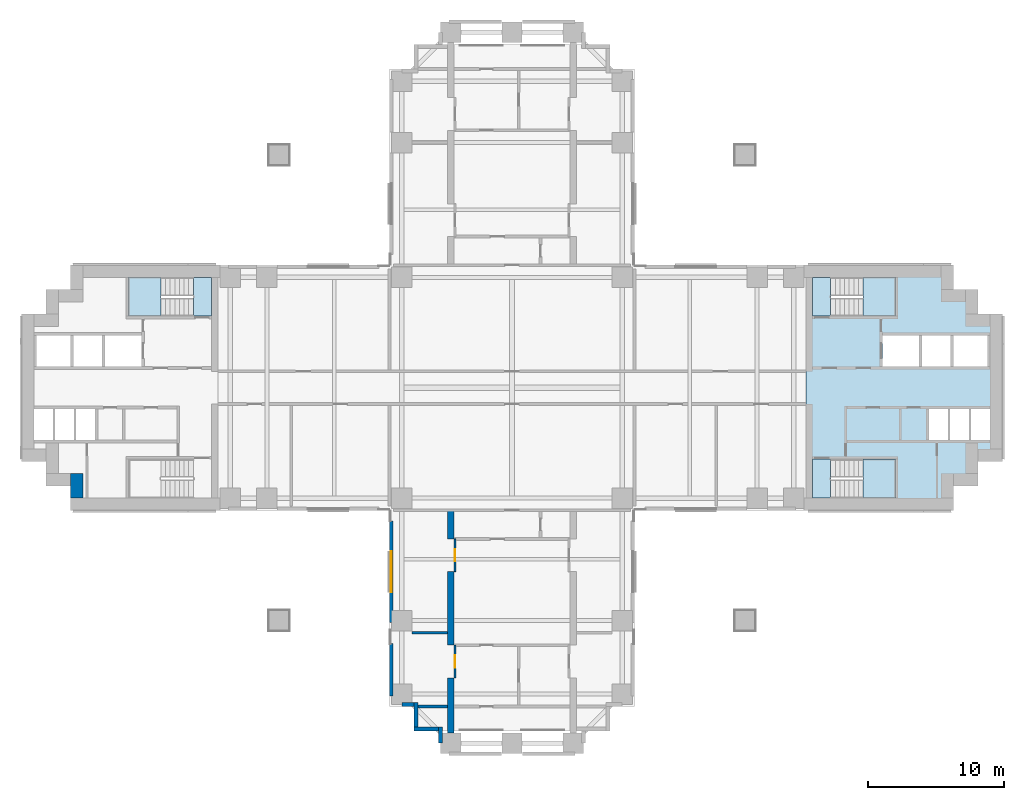
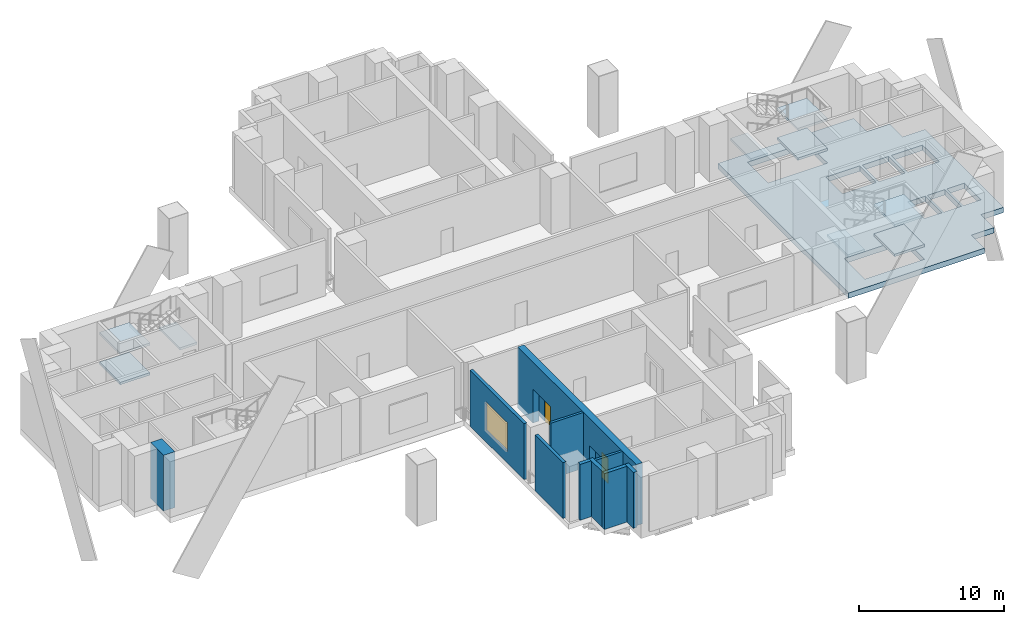
# One storey, part 2 of 10: 12 walls, 10 slabs, 2 doors, 1 window, 3 openings, 3 elements without a shape of their own.
"""IFC4 building model written with IfcOpenShell, lengths in metres."""

from ifc_helpers import new_model, si_unit, direction, frame, frame_2d, origin, place, context, subcontext, project, spatial, polyline, rectangle, outline, extrude, material, layer, layer_set, material_profile, profile_set, type_object, element, fill, aggregate, save


model = new_model("IFC4")

# Units and contexts
model_context = context("Model", 3, precision=1e-05, world=origin(), true_north=direction((0.0, 1.0)))
body_context = subcontext(model_context, "Body", "Model", "MODEL_VIEW")
ifc_project = project(units=[si_unit("LENGTHUNIT", "METRE"), si_unit("AREAUNIT", "SQUARE_METRE"), si_unit("VOLUMEUNIT", "CUBIC_METRE"), si_unit("PLANEANGLEUNIT", "RADIAN"), si_unit("MASSUNIT", "GRAM", prefix="KILO")], contexts=[model_context])

# Site, building, storey
site_placement = place(None, origin())
site = spatial("IfcSite", under=ifc_project, at=site_placement, CompositionType="ELEMENT")
building_placement = place(site_placement, origin())
building = spatial("IfcBuilding", under=site, at=building_placement, Name="Perihelion Cross Residences", CompositionType="ELEMENT")
storey_placement = place(building_placement, frame((0.0, 0.0, 27.0)))
storey = spatial("IfcBuildingStorey", under=building, at=storey_placement, Name="L03", CompositionType="ELEMENT", Elevation=27.0)

# Slab
ifc_material_1 = material(Name="Concrete C40/50", Category="concrete")
ifc_layer_1 = layer(ifc_material_1, 0.449951171875)
ifc_layer_set_1 = layer_set([ifc_layer_1], Name="Core floor slab 450")
slab_type_1 = type_object("IfcSlabType", Name="Core floor slab 450", PredefinedType="FLOOR", material=ifc_layer_set_1)
slab_1_placement = place(storey_placement, frame((0.0, 0.0, -0.449951171875)))
element("IfcSlab", 1, at=slab_1_placement, inside=storey, type_object=slab_type_1, Name="East core floor slab", PredefinedType="FLOOR", context=body_context, shape_type="SweptSolid", body=[
    extrude(outline(polyline([(32.39990234375, 7.199951171875), (34.199951171875, 7.199951171875), (34.199951171875, 5.39990234375), (36.0, 5.39990234375), (36.0, -5.39990234375), (34.199951171875, -5.39990234375), (34.199951171875, -7.199951171875), (32.39990234375, -7.199951171875), (32.39990234375, -9.0), (21.60009765625, -9.0), (21.60009765625, 9.0), (32.39990234375, 9.0), (32.39990234375, 7.199951171875)]), holes=[polyline([(23.405029296875, -8.10009765625), (28.14990234375, -8.10009765625), (28.14990234375, -5.25), (23.405029296875, -5.25), (23.405029296875, -8.10009765625)]), polyline([(30.60009765625, -1.550048828125), (30.60009765625, -3.85009765625), (32.0, -3.85009765625), (32.0, -1.550048828125), (30.60009765625, -1.550048828125)]), polyline([(32.14990234375, -1.550048828125), (32.14990234375, -3.85009765625), (33.550048828125, -3.85009765625), (33.550048828125, -1.550048828125), (32.14990234375, -1.550048828125)]), polyline([(33.699951171875, -1.550048828125), (33.699951171875, -3.85009765625), (35.10009765625, -3.85009765625), (35.10009765625, -1.550048828125), (33.699951171875, -1.550048828125)]), polyline([(27.199951171875, 3.85009765625), (27.199951171875, 1.550048828125), (29.89990234375, 1.550048828125), (29.89990234375, 3.85009765625), (27.199951171875, 3.85009765625)]), polyline([(30.10009765625, 3.85009765625), (30.10009765625, 1.550048828125), (32.199951171875, 1.550048828125), (32.199951171875, 3.85009765625), (30.10009765625, 3.85009765625)]), polyline([(32.39990234375, 3.85009765625), (32.39990234375, 1.550048828125), (34.89990234375, 1.550048828125), (34.89990234375, 3.85009765625), (32.39990234375, 3.85009765625)]), polyline([(23.405029296875, 5.25), (28.14990234375, 5.25), (28.14990234375, 8.10009765625), (23.405029296875, 8.10009765625), (23.405029296875, 5.25)])]), origin(), (0.0, 0.0, 1.0), 0.449951171875),
])

# Stair, slabs
ifc_material_2 = material(Name="Concrete C40/50", Category="concrete")
stair_type = type_object("IfcStairType", Name="Exit stair, half-turn", PredefinedType="HALF_TURN_STAIR", material=ifc_material_2)
stair_1_placement = place(storey_placement, origin())
stair_1 = element("IfcStair", 2, at=stair_1_placement, inside=storey, type_object=stair_type, Name="L03 East core exit stair 1", PredefinedType="HALF_TURN_STAIR")
ifc_material_3 = material(Name="Concrete C40/50", Category="concrete")
ifc_layer_2 = layer(ifc_material_3, 0.199951171875)
ifc_layer_set_2 = layer_set([ifc_layer_2], Name="Exit stair landing 200")
slab_type_2 = type_object("IfcSlabType", Name="Exit stair landing 200", PredefinedType="LANDING", material=ifc_layer_set_2)
slab_2_placement = place(storey_placement, frame((0.0, 0.0, 1.050048828125)))
slab_2 = element("IfcSlab", 3, at=slab_2_placement, type_object=slab_type_2, Name="ST-E1 landing 1", PredefinedType="LANDING", context=body_context, shape_type="SweptSolid", body=[
    extrude(outline(polyline([(25.780029296875, 5.25), (28.14990234375, 5.25), (28.14990234375, 8.10009765625), (25.780029296875, 8.10009765625), (25.780029296875, 5.25)])), origin(), (0.0, 0.0, 1.0), 0.199951171875),
])
slab_3_placement = place(storey_placement, frame((0.0, 0.0, 2.300048828125)))
slab_3 = element("IfcSlab", 4, at=slab_3_placement, type_object=slab_type_2, Name="ST-E1 landing 2", PredefinedType="LANDING", context=body_context, shape_type="SweptSolid", body=[
    extrude(outline(polyline([(22.050048828125, 5.25), (23.39990234375, 5.25), (23.39990234375, 8.10009765625), (22.050048828125, 8.10009765625), (22.050048828125, 5.25)])), origin(), (0.0, 0.0, 1.0), 0.199951171875),
])
slab_4_placement = place(storey_placement, frame((0.0, 0.0, 3.550048828125)))
slab_4 = element("IfcSlab", 5, at=slab_4_placement, type_object=slab_type_2, Name="ST-E1 landing 3", PredefinedType="LANDING", context=body_context, shape_type="SweptSolid", body=[
    extrude(outline(polyline([(25.780029296875, 5.25), (28.14990234375, 5.25), (28.14990234375, 8.10009765625), (25.780029296875, 8.10009765625), (25.780029296875, 5.25)])), origin(), (0.0, 0.0, 1.0), 0.199951171875),
])
aggregate(stair_1, [slab_2, slab_3, slab_4])

stair_2_placement = place(storey_placement, origin())
stair_2 = element("IfcStair", 6, at=stair_2_placement, inside=storey, type_object=stair_type, Name="L03 East core exit stair 2", PredefinedType="HALF_TURN_STAIR")
slab_5_placement = place(storey_placement, frame((0.0, 0.0, 1.050048828125)))
slab_5 = element("IfcSlab", 7, at=slab_5_placement, type_object=slab_type_2, Name="ST-E2 landing 1", PredefinedType="LANDING", context=body_context, shape_type="SweptSolid", body=[
    extrude(outline(polyline([(25.780029296875, -8.10009765625), (28.14990234375, -8.10009765625), (28.14990234375, -5.25), (25.780029296875, -5.25), (25.780029296875, -8.10009765625)])), origin(), (0.0, 0.0, 1.0), 0.199951171875),
])
slab_6_placement = place(storey_placement, frame((0.0, 0.0, 2.300048828125)))
slab_6 = element("IfcSlab", 8, at=slab_6_placement, type_object=slab_type_2, Name="ST-E2 landing 2", PredefinedType="LANDING", context=body_context, shape_type="SweptSolid", body=[
    extrude(outline(polyline([(22.050048828125, -8.10009765625), (23.39990234375, -8.10009765625), (23.39990234375, -5.25), (22.050048828125, -5.25), (22.050048828125, -8.10009765625)])), origin(), (0.0, 0.0, 1.0), 0.199951171875),
])
slab_7_placement = place(storey_placement, frame((0.0, 0.0, 3.550048828125)))
slab_7 = element("IfcSlab", 9, at=slab_7_placement, type_object=slab_type_2, Name="ST-E2 landing 3", PredefinedType="LANDING", context=body_context, shape_type="SweptSolid", body=[
    extrude(outline(polyline([(25.780029296875, -8.10009765625), (28.14990234375, -8.10009765625), (28.14990234375, -5.25), (25.780029296875, -5.25), (25.780029296875, -8.10009765625)])), origin(), (0.0, 0.0, 1.0), 0.199951171875),
])
aggregate(stair_2, [slab_5, slab_6, slab_7])

stair_3_placement = place(storey_placement, origin())
stair_3 = element("IfcStair", 10, at=stair_3_placement, inside=storey, type_object=stair_type, Name="L03 West core exit stair 1", PredefinedType="HALF_TURN_STAIR")
slab_8_placement = place(storey_placement, frame((0.0, 0.0, 1.050048828125)))
slab_8 = element("IfcSlab", 11, at=slab_8_placement, type_object=slab_type_2, Name="ST-W1 landing 1", PredefinedType="LANDING", context=body_context, shape_type="SweptSolid", body=[
    extrude(outline(polyline([(-25.780029296875, 8.10009765625), (-28.14990234375, 8.10009765625), (-28.14990234375, 5.25), (-25.780029296875, 5.25), (-25.780029296875, 8.10009765625)])), origin(), (0.0, 0.0, 1.0), 0.199951171875),
])
slab_9_placement = place(storey_placement, frame((0.0, 0.0, 2.300048828125)))
slab_9 = element("IfcSlab", 12, at=slab_9_placement, type_object=slab_type_2, Name="ST-W1 landing 2", PredefinedType="LANDING", context=body_context, shape_type="SweptSolid", body=[
    extrude(outline(polyline([(-22.050048828125, 8.10009765625), (-23.39990234375, 8.10009765625), (-23.39990234375, 5.25), (-22.050048828125, 5.25), (-22.050048828125, 8.10009765625)])), origin(), (0.0, 0.0, 1.0), 0.199951171875),
])
slab_10_placement = place(storey_placement, frame((0.0, 0.0, 3.550048828125)))
slab_10 = element("IfcSlab", 13, at=slab_10_placement, type_object=slab_type_2, Name="ST-W1 landing 3", PredefinedType="LANDING", context=body_context, shape_type="SweptSolid", body=[
    extrude(outline(polyline([(-25.780029296875, 8.10009765625), (-28.14990234375, 8.10009765625), (-28.14990234375, 5.25), (-25.780029296875, 5.25), (-25.780029296875, 8.10009765625)])), origin(), (0.0, 0.0, 1.0), 0.199951171875),
])
aggregate(stair_3, [slab_8, slab_9, slab_10])

# Walls
ifc_material_4 = material(Name="Plasterboard partition")
ifc_layer_3 = layer(ifc_material_4, 0.199951171875)
ifc_layer_set_3 = layer_set([ifc_layer_3], Name="Apartment riser wall 200")
wall_type_1 = type_object("IfcWallType", Name="Apartment riser wall 200", PredefinedType="PARTITIONING", material=ifc_layer_set_3)
wall_1_placement = place(storey_placement, frame((-4.75, -18.0, 0.0), z_axis=(0.0, 0.0, 1.0), x_axis=(-1.0, 0.0, 0.0)))
element("IfcWall", 14, at=wall_1_placement, inside=storey, type_object=wall_type_1, Name="Partition L03 W027", PredefinedType="PARTITIONING", context=body_context, shape_type="SweptSolid", body=[
    extrude(rectangle(XDim=2.60009765625, YDim=0.199951171875, at=frame_2d((1.300048828125, 0.0))), origin(), (0.0, 0.0, 1.0), 4.699951171875),
])
wall_2_placement = place(storey_placement, frame((-4.75, -23.39990234375, 0.0), z_axis=(0.0, 0.0, 1.0), x_axis=(-1.0, 0.0, 0.0)))
element("IfcWall", 15, at=wall_2_placement, inside=storey, type_object=wall_type_1, Name="Partition L03 W028", PredefinedType="PARTITIONING", context=body_context, shape_type="SweptSolid", body=[
    extrude(rectangle(XDim=2.14990234375, YDim=0.199951171875, at=frame_2d((1.074951171875, 0.0))), origin(), (0.0, 0.0, 1.0), 4.699951171875),
])
ifc_material_5 = material(Name="Concrete C30/37, bronze-clad", Category="concrete")
ifc_layer_4 = layer(ifc_material_5, 0.300048828125)
ifc_layer_set_4 = layer_set([ifc_layer_4], Name="Bronze-clad serration wall 300")
wall_type_2 = type_object("IfcWallType", Name="Bronze-clad serration wall 300", PredefinedType="SOLIDWALL", material=ifc_layer_set_4)
wall_3_placement = place(storey_placement, frame((-8.080078125, -23.25, 0.0), z_axis=(0.0, 0.0, 1.0), x_axis=(1.0, 0.0, 0.0)))
element("IfcWall", 16, at=wall_3_placement, inside=storey, type_object=wall_type_2, Name="Wall SR1 L03 south corner south-west 1", PredefinedType="SOLIDWALL", context=body_context, shape_type="SweptSolid", body=[
    extrude(rectangle(XDim=0.880126953125, YDim=0.300048828125, at=frame_2d((0.43994140625, 0.0))), origin(), (0.0, 0.0, 1.0), 4.699951171875),
])
wall_4_placement = place(storey_placement, frame((-7.050048828125, -23.10009765625, 0.0), z_axis=(0.0, 0.0, 1.0), x_axis=(0.0, -1.0, 0.0)))
element("IfcWall", 17, at=wall_4_placement, inside=storey, type_object=wall_type_2, Name="Wall SR1 L03 south corner south-west 2", PredefinedType="SOLIDWALL", context=body_context, shape_type="SweptSolid", body=[
    extrude(rectangle(XDim=1.7998046875, YDim=0.300048828125, at=frame_2d((0.89990234375, 0.0))), origin(), (0.0, 0.0, 1.0), 4.699951171875),
])
wall_5_placement = place(storey_placement, frame((-7.199951171875, -25.050048828125, 0.0), z_axis=(0.0, 0.0, 1.0), x_axis=(1.0, 0.0, 0.0)))
element("IfcWall", 18, at=wall_5_placement, inside=storey, type_object=wall_type_2, Name="Wall SR1 L03 south corner south-west 3", PredefinedType="SOLIDWALL", context=body_context, shape_type="SweptSolid", body=[
    extrude(rectangle(XDim=1.800048828125, YDim=0.300048828125, at=frame_2d((0.89990234375, 0.0))), origin(), (0.0, 0.0, 1.0), 4.699951171875),
])
wall_6_placement = place(storey_placement, frame((-5.25, -24.89990234375, 0.0), z_axis=(0.0, 0.0, 1.0), x_axis=(0.0, -1.0, 0.0)))
element("IfcWall", 19, at=wall_6_placement, inside=storey, type_object=wall_type_2, Name="Wall SR1 L03 south corner south-west 4", PredefinedType="SOLIDWALL", context=body_context, shape_type="SweptSolid", body=[
    extrude(rectangle(XDim=1.18017578125, YDim=0.300048828125, at=frame_2d((0.590087890625, 0.0))), origin(), (0.0, 0.0, 1.0), 4.699951171875),
])
ifc_material_6 = material(Name="Concrete C60/75", Category="concrete")
ifc_layer_5 = layer(ifc_material_6, 0.89990234375)
ifc_layer_set_5 = layer_set([ifc_layer_5], Name="Core wall, outer 900")
wall_type_3 = type_object("IfcWallType", Name="Core wall, outer 900", PredefinedType="SHEAR", material=ifc_layer_set_5)
wall_7_placement = place(storey_placement, frame((-31.949951171875, -8.10009765625, 0.0), z_axis=(0.0, 0.0, 1.0), x_axis=(0.0, 1.0, 0.0)))
element("IfcWall", 20, at=wall_7_placement, inside=storey, type_object=wall_type_3, Name="West core core wall, outer", PredefinedType="SHEAR", context=body_context, shape_type="SweptSolid", body=[
    extrude(rectangle(XDim=1.800048828125, YDim=0.89990234375, at=frame_2d((0.89990234375, 0.0))), origin(), (0.0, 0.0, 1.0), 4.699951171875),
])

# Wall, opening, door
ifc_material_7 = material(Name="Plasterboard partition")
ifc_layer_6 = layer(ifc_material_7, 0.1201171875)
ifc_layer_set_6 = layer_set([ifc_layer_6], Name="Infill panel 120")
wall_type_4 = type_object("IfcWallType", Name="Infill panel 120", PredefinedType="PARTITIONING", material=ifc_layer_set_6)
wall_8_placement = place(storey_placement, frame((-4.18994140625, -11.10009765625, 0.0), z_axis=(0.0, 0.0, 1.0), x_axis=(0.0, -1.0, 0.0)))
wall_8 = element("IfcWall", 21, at=wall_8_placement, inside=storey, type_object=wall_type_4, Name="Partition L03 WI07", PredefinedType="PARTITIONING", context=body_context, shape_type="SweptSolid", body=[
    extrude(rectangle(XDim=2.39990234375, YDim=0.1201171875, at=frame_2d((1.199951171875, 0.0))), origin(), (0.0, 0.0, 1.0), 2.39990234375),
])
opening_1_placement = place(wall_8_placement, frame((0.75, 0.0, 0.0)))
opening_1 = element("IfcOpeningElement", 22, at=opening_1_placement, cuts=wall_8, Name="Opening L03.A27", PredefinedType="OPENING", context=body_context, shape_type="SweptSolid", body=[
    extrude(rectangle(XDim=0.89990234375, YDim=2.10009765625, at=frame_2d((0.449951171875, 1.050048828125))), frame((0.0, 0.070068359375, 0.0), z_axis=(0.0, -1.0, 0.0), x_axis=(1.0, 0.0, 0.0)), (0.0, 0.0, 1.0), 0.14013671875),
])
ifc_material_8 = material(Name="Timber door leaf", Category="wood")
door_type = type_object("IfcDoorType", Name="Interior room door 900 x 2100", OperationType="SINGLE_SWING_LEFT", PredefinedType="DOOR", material=ifc_material_8)
door_1_placement = place(opening_1_placement, origin())
door_1 = element("IfcDoor", 23, at=door_1_placement, inside=storey, type_object=door_type, Name="Door L03.A27", OperationType="SINGLE_SWING_LEFT", OverallHeight=2.10009765625, OverallWidth=0.89990234375, PredefinedType="DOOR", context=body_context, shape_type="SweptSolid", body=[
    extrude(rectangle(XDim=0.89990234375, YDim=2.10009765625, at=frame_2d((0.449951171875, 1.050048828125))), frame((0.0, 0.02490234375, 0.0), z_axis=(0.0, -1.0, 0.0), x_axis=(1.0, 0.0, 0.0)), (0.0, 0.0, 1.0), 0.050048828125),
])
fill(opening_1, door_1)

wall_9_placement = place(storey_placement, frame((-4.18994140625, -18.89990234375, 0.0), z_axis=(0.0, 0.0, 1.0), x_axis=(0.0, -1.0, 0.0)))
wall_9 = element("IfcWall", 24, at=wall_9_placement, inside=storey, type_object=wall_type_4, Name="Partition L03 WI08", PredefinedType="PARTITIONING", context=body_context, shape_type="SweptSolid", body=[
    extrude(rectangle(XDim=2.400146484375, YDim=0.1201171875, at=frame_2d((1.2001953125, 0.0))), origin(), (0.0, 0.0, 1.0), 2.39990234375),
])
opening_2_placement = place(wall_9_placement, frame((0.75, 0.0, 0.0)))
opening_2 = element("IfcOpeningElement", 25, at=opening_2_placement, cuts=wall_9, Name="Opening L03.A28", PredefinedType="OPENING", context=body_context, shape_type="SweptSolid", body=[
    extrude(rectangle(XDim=0.89990234375, YDim=2.10009765625, at=frame_2d((0.449951171875, 1.050048828125))), frame((0.0, 0.070068359375, 0.0), z_axis=(0.0, -1.0, 0.0), x_axis=(1.0, 0.0, 0.0)), (0.0, 0.0, 1.0), 0.14013671875),
])
door_2_placement = place(opening_2_placement, origin())
door_2 = element("IfcDoor", 26, at=door_2_placement, inside=storey, type_object=door_type, Name="Door L03.A28", OperationType="SINGLE_SWING_RIGHT", OverallHeight=2.10009765625, OverallWidth=0.89990234375, PredefinedType="DOOR", context=body_context, shape_type="SweptSolid", body=[
    extrude(rectangle(XDim=0.89990234375, YDim=2.10009765625, at=frame_2d((0.449951171875, 1.050048828125))), frame((0.0, 0.02490234375, 0.0), z_axis=(0.0, -1.0, 0.0), x_axis=(1.0, 0.0, 0.0)), (0.0, 0.0, 1.0), 0.050048828125),
])
fill(opening_2, door_2)

# Wall, opening, window
ifc_material_9 = material(Name="Concrete C30/37, bronze-clad", Category="concrete")
ifc_layer_7 = layer(ifc_material_9, 0.25)
ifc_layer_set_7 = layer_set([ifc_layer_7], Name="Louvre bay wall 250")
wall_type_5 = type_object("IfcWallType", Name="Louvre bay wall 250", PredefinedType="SOLIDWALL", material=ifc_layer_set_7)
wall_10_placement = place(storey_placement, frame((-8.875, -9.77001953125, 0.0), z_axis=(0.0, 0.0, 1.0), x_axis=(0.0, -1.0, 0.0)))
wall_10 = element("IfcWall", 27, at=wall_10_placement, inside=storey, type_object=wall_type_5, Name="Wall FW2 L03 south side west bay 1 louvre", PredefinedType="SOLIDWALL", context=body_context, shape_type="SweptSolid", body=[
    extrude(rectangle(XDim=7.4599609375, YDim=0.25, at=frame_2d((3.72998046875, 0.0))), origin(), (0.0, 0.0, 1.0), 4.699951171875),
])
opening_3_placement = place(wall_10_placement, frame((2.22998046875, 0.0, 1.0)))
opening_3 = element("IfcOpeningElement", 28, at=opening_3_placement, cuts=wall_10, Name="Opening L03.W06", PredefinedType="OPENING", context=body_context, shape_type="SweptSolid", body=[
    extrude(rectangle(XDim=3.0, YDim=2.39990234375, at=frame_2d((1.5, 1.199951171875))), frame((0.0, 0.135009765625, 0.0), z_axis=(0.0, -1.0, 0.0), x_axis=(1.0, 0.0, 0.0)), (0.0, 0.0, 1.0), 0.27001953125),
])
ifc_material_10 = material(Name="Bronze anodised aluminium, louvred", Category="aluminium")
window_type = type_object("IfcWindowType", Name="Louvred vent 3000 x 2400", PartitioningType="SINGLE_PANEL", PredefinedType="WINDOW", material=ifc_material_10)
window_placement = place(opening_3_placement, origin())
window = element("IfcWindow", 29, at=window_placement, inside=storey, type_object=window_type, Name="Window L03.W06 south side west bay 1 vent", OverallHeight=2.39990234375, OverallWidth=3.0, PartitioningType="SINGLE_PANEL", PredefinedType="WINDOW", context=body_context, shape_type="SweptSolid", body=[
    extrude(rectangle(XDim=3.0, YDim=2.39990234375, at=frame_2d((1.5, 1.199951171875))), frame((0.0, 0.030029296875, 0.0), z_axis=(0.0, -1.0, 0.0), x_axis=(1.0, 0.0, 0.0)), (0.0, 0.0, 1.0), 0.06005859375),
])
fill(opening_3, window)

# Walls
wall_11_placement = place(storey_placement, frame((-8.875, -18.77001953125, 0.0), z_axis=(0.0, 0.0, 1.0), x_axis=(0.0, -1.0, 0.0)))
element("IfcWall", 30, at=wall_11_placement, inside=storey, type_object=wall_type_5, Name="Wall FW2 L03 south side west bay 2 louvre", PredefinedType="SOLIDWALL", context=body_context, shape_type="SweptSolid", body=[
    extrude(rectangle(XDim=3.85986328125, YDim=0.25, at=frame_2d((1.929931640625, 0.0))), origin(), (0.0, 0.0, 1.0), 4.699951171875),
])
ifc_material_11 = material(Name="Concrete C60/75", Category="concrete")
ifc_material_profile = material_profile(ifc_material_11, outline(polyline([(0.0, 0.0), (4.050048828125, 0.0), (4.050048828125, 2.85009765625), (6.449951171875, 2.85009765625), (6.449951171875, 0.0), (11.85009765625, 0.0), (11.85009765625, 2.85009765625), (14.25, 2.85009765625), (14.25, 0.0), (16.35009765625, 0.0), (16.35009765625, 5.14990234375), (0.0, 5.14990234375), (0.0, 0.0)])), Name="Tip spine wall")
ifc_profile_set = profile_set([ifc_material_profile], Name="Concrete C60/75")
wall_type_6 = type_object("IfcWallType", Name="Tip spine wall 500 with 2 door openings 16350 long 5150 high concrete C60/75", PredefinedType="SHEAR", material=ifc_profile_set)
wall_12_placement = place(storey_placement, frame((-4.75, -25.35009765625, -0.449951171875), z_axis=(1.0, 0.0, 0.0), x_axis=(0.0, 1.0, 0.0)))
element("IfcWall", 31, at=wall_12_placement, inside=storey, type_object=wall_type_6, Name="Shear wall SW16 L03 south west", PredefinedType="SHEAR", context=body_context, shape_type="SweptSolid", body=[
    extrude(outline(polyline([(0.0, 0.0), (4.050048828125, 0.0), (4.050048828125, 2.85009765625), (6.449951171875, 2.85009765625), (6.449951171875, 0.0), (11.85009765625, 0.0), (11.85009765625, 2.85009765625), (14.25, 2.85009765625), (14.25, 0.0), (16.35009765625, 0.0), (16.35009765625, 5.14990234375), (0.0, 5.14990234375), (0.0, 0.0)])), origin(), (0.0, 0.0, 1.0), 0.5),
])

save(model, "model.ifc")
